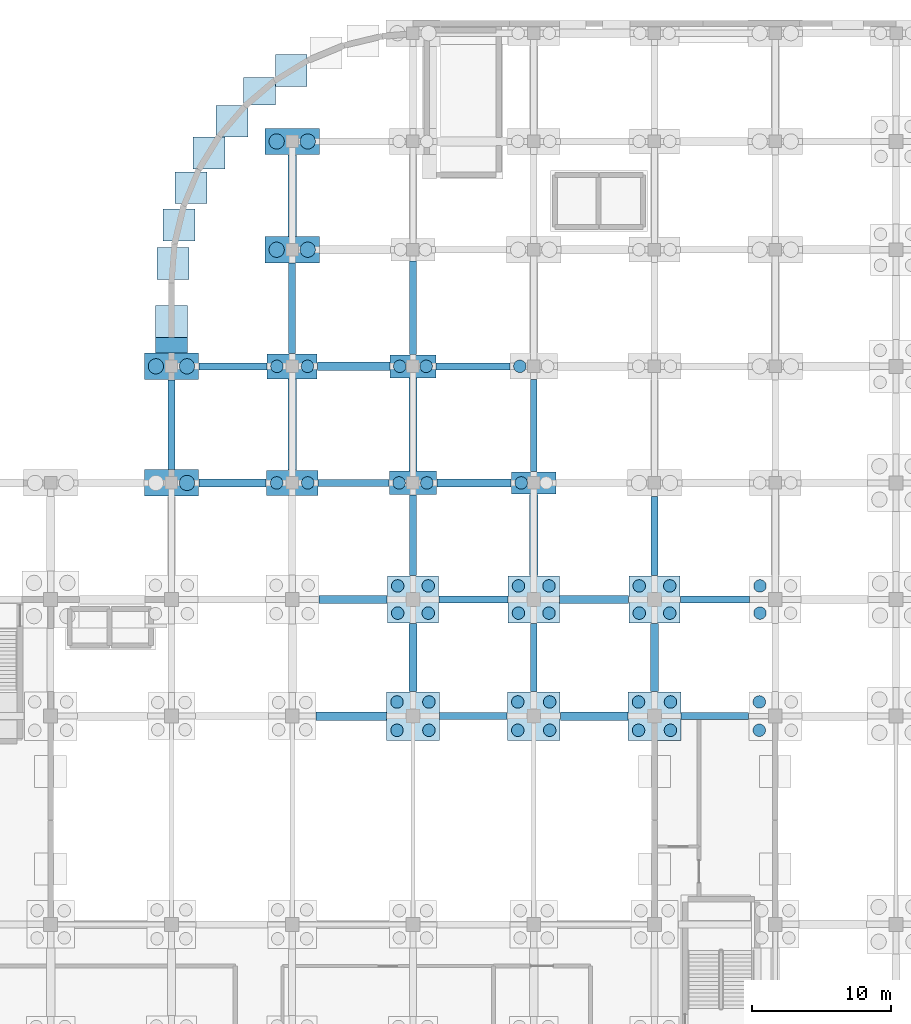
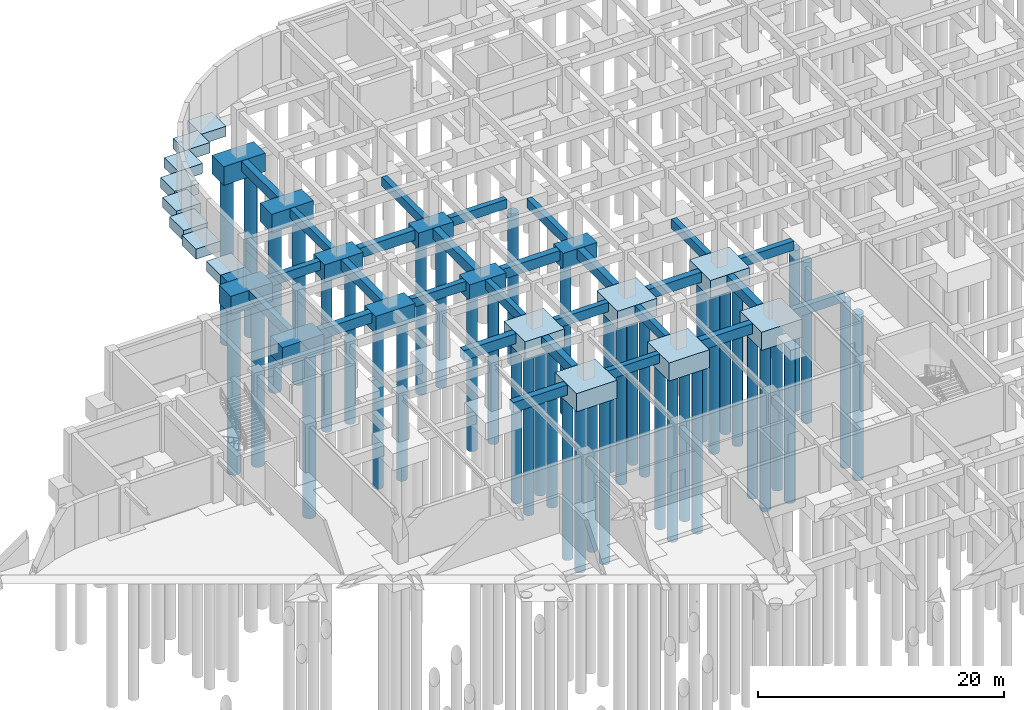
# One storey, part 8 of 33: 51 footings, 45 piles.
"""IFC4 building model written with IfcOpenShell, lengths in metres."""

from ifc_helpers import new_model, si_unit, derived_unit, direction, frame, origin, origin_2d, place, context, subcontext, project, spatial, rectangle, circle, extrude, material, material_profile, profile_set, type_object, element, save


model = new_model("IFC4")

# Units and contexts
model_context = context("Model", 3, precision=1e-05, world=origin(), true_north=direction((0.0, 1.0)))
body_context = subcontext(model_context, "Body", "Model", "MODEL_VIEW")
ifc_project = project(units=[si_unit("LENGTHUNIT", "METRE"), si_unit("AREAUNIT", "SQUARE_METRE"), si_unit("VOLUMEUNIT", "CUBIC_METRE"), si_unit("PLANEANGLEUNIT", "RADIAN"), si_unit("MASSUNIT", "GRAM", prefix="KILO"), derived_unit("THERMALTRANSMITTANCEUNIT", [(si_unit("MASSUNIT", "GRAM", prefix="KILO"), 1), (si_unit("TIMEUNIT", "SECOND"), -3), (si_unit("THERMODYNAMICTEMPERATUREUNIT", "KELVIN"), -1)])], contexts=[model_context])

# Site, building, storey
site_placement = place(None, origin())
site = spatial("IfcSite", under=ifc_project, at=site_placement, CompositionType="ELEMENT")
building_placement = place(site_placement, origin())
building = spatial("IfcBuilding", under=site, at=building_placement, Name="Qinzheling Arcade Emporium", CompositionType="ELEMENT")
storey_placement = place(building_placement, frame((0.0, 0.0, -9.60009765625)))
storey = spatial("IfcBuildingStorey", under=building, at=storey_placement, Name="B2", CompositionType="ELEMENT", Elevation=-9.60009765625)

# Footings
ifc_material = material(Name="Concrete C40", Category="concrete")
footing_type_1 = type_object("IfcFootingType", Name="Arcade Pad Footing 2400x2400x1050 C40", PredefinedType="PAD_FOOTING", material=ifc_material)
footing_1_placement = place(storey_placement, frame((52.199951171875, 92.113037109375, -1.0498046875), z_axis=(0.0, 0.0, 1.0), x_axis=(1.0, 0.0, 0.0)))
element("IfcFooting", 1, at=footing_1_placement, inside=storey, type_object=footing_type_1, Name="Retaining Wall Pad Footing FND-PF-RW-023", PredefinedType="PAD_FOOTING", context=body_context, shape_type="SweptSolid", body=[
    extrude(rectangle(XDim=2.300048828125, YDim=1.114013671875, at=origin_2d()), origin(), (0.0, 0.0, 1.0), 1.050048828125),
])
footing_2_placement = place(storey_placement, frame((52.751953125, 100.7890625, -1.0498046875), z_axis=(0.0, 0.0, 1.0), x_axis=(1.0, 0.0, 0.0)))
element("IfcFooting", 2, at=footing_2_placement, inside=storey, type_object=footing_type_1, Name="Retaining Wall Pad Footing FND-PF-RW-025", PredefinedType="PAD_FOOTING", context=body_context, shape_type="SweptSolid", body=[
    extrude(rectangle(XDim=2.299072265625, YDim=2.300048828125, at=origin_2d()), origin(), (0.0, 0.0, 1.0), 1.050048828125),
])
footing_3_placement = place(storey_placement, frame((54.89990234375, 105.97607421875, -1.0498046875), z_axis=(0.0, 0.0, 1.0), x_axis=(1.0, 0.0, 0.0)))
element("IfcFooting", 3, at=footing_3_placement, inside=storey, type_object=footing_type_1, Name="Retaining Wall Pad Footing FND-PF-RW-027", PredefinedType="PAD_FOOTING", context=body_context, shape_type="SweptSolid", body=[
    extrude(rectangle(XDim=2.300048828125, YDim=2.300048828125, at=origin_2d()), origin(), (0.0, 0.0, 1.0), 1.050048828125),
])
footing_4_placement = place(storey_placement, frame((58.5458984375, 110.403076171875, -1.0498046875), z_axis=(0.0, 0.0, 1.0), x_axis=(1.0, 0.0, 0.0)))
element("IfcFooting", 4, at=footing_4_placement, inside=storey, type_object=footing_type_1, Name="Retaining Wall Pad Footing FND-PF-RW-029", PredefinedType="PAD_FOOTING", context=body_context, shape_type="SweptSolid", body=[
    extrude(rectangle(XDim=2.300048828125, YDim=1.985107421875, at=origin_2d()), origin(), (0.0, 0.0, 1.0), 1.050048828125),
])
footing_type_2 = type_object("IfcFootingType", Name="Foundation Tie Beam 500x900 C40", PredefinedType="FOOTING_BEAM", material=ifc_material)
for number, where, z_axis, x_axis, name in (
    (5, (73.949951171875, 65.39990234375, -0.89990234375), (0.0, 0.0, 1.0), (1.0, 0.0, 0.0), "Foundation Tie FND-FB-111"),
    (6, (91.35009765625, 65.39990234375, -0.89990234375), (0.0, 0.0, 1.0), (1.0, 0.0, 0.0), "Foundation Tie FND-FB-113"),
):
    element("IfcFooting", number, at=place(storey_placement, frame(where, z_axis=z_axis, x_axis=x_axis)), inside=storey, type_object=footing_type_2, Name=name, PredefinedType="FOOTING_BEAM", context=body_context, shape_type="SweptSolid", body=[
        extrude(rectangle(XDim=4.860107421875, YDim=0.5, at=origin_2d()), origin(), (0.0, 0.0, 1.0), 0.89990234375),
    ])
for number, where, z_axis, x_axis, name in (
    (7, (73.949951171875, 73.800048828125, -0.89990234375), (0.0, 0.0, 1.0), (1.0, 0.0, 0.0), "Foundation Tie FND-FB-125"),
    (8, (91.35009765625, 73.800048828125, -0.89990234375), (0.0, 0.0, 1.0), (1.0, 0.0, 0.0), "Foundation Tie FND-FB-127"),
):
    element("IfcFooting", number, at=place(storey_placement, frame(where, z_axis=z_axis, x_axis=x_axis)), inside=storey, type_object=footing_type_2, Name=name, PredefinedType="FOOTING_BEAM", context=body_context, shape_type="SweptSolid", body=[
        extrude(rectangle(XDim=4.9599609375, YDim=0.5, at=origin_2d()), origin(), (0.0, 0.0, 1.0), 0.89990234375),
    ])
footing_5_placement = place(storey_placement, frame((65.324951171875, 82.199951171875, -0.89990234375), z_axis=(0.0, 0.0, 1.0), x_axis=(1.0, 0.0, 0.0)))
element("IfcFooting", 9, at=footing_5_placement, inside=storey, type_object=footing_type_2, Name="Foundation Tie FND-FB-137", PredefinedType="FOOTING_BEAM", context=body_context, shape_type="SweptSolid", body=[
    extrude(rectangle(XDim=5.110107421875, YDim=0.5, at=origin_2d()), origin(), (0.0, 0.0, 1.0), 0.89990234375),
])
footing_6_placement = place(storey_placement, frame((56.625, 90.60009765625, -0.89990234375), z_axis=(0.0, 0.0, 1.0), x_axis=(1.0, 0.0, 0.0)))
element("IfcFooting", 10, at=footing_6_placement, inside=storey, type_object=footing_type_2, Name="Foundation Tie FND-FB-147", PredefinedType="FOOTING_BEAM", context=body_context, shape_type="SweptSolid", body=[
    extrude(rectangle(XDim=4.909912109375, YDim=0.5, at=origin_2d()), origin(), (0.0, 0.0, 1.0), 0.89990234375),
])
footing_7_placement = place(storey_placement, frame((73.925048828125, 90.60009765625, -0.89990234375), z_axis=(0.0, 0.0, 1.0), x_axis=(1.0, 0.0, 0.0)))
element("IfcFooting", 11, at=footing_7_placement, inside=storey, type_object=footing_type_2, Name="Foundation Tie FND-FB-149", PredefinedType="FOOTING_BEAM", context=body_context, shape_type="SweptSolid", body=[
    extrude(rectangle(XDim=5.31005859375, YDim=0.5, at=origin_2d()), origin(), (0.0, 0.0, 1.0), 0.89990234375),
])
footing_8_placement = place(storey_placement, frame((52.199951171875, 86.39990234375, -0.89990234375), z_axis=(0.0, 0.0, 1.0), x_axis=(1.0, 0.0, 0.0)))
element("IfcFooting", 12, at=footing_8_placement, inside=storey, type_object=footing_type_2, Name="Foundation Tie FND-FB-223", PredefinedType="FOOTING_BEAM", context=body_context, shape_type="SweptSolid", body=[
    extrude(rectangle(XDim=0.5, YDim=6.4599609375, at=origin_2d()), origin(), (0.0, 0.0, 1.0), 0.89990234375),
])
footing_9_placement = place(storey_placement, frame((60.89990234375, 94.77490234375, -0.89990234375), z_axis=(0.0, 0.0, 1.0), x_axis=(1.0, 0.0, 0.0)))
element("IfcFooting", 13, at=footing_9_placement, inside=storey, type_object=footing_type_2, Name="Foundation Tie FND-FB-233", PredefinedType="FOOTING_BEAM", context=body_context, shape_type="SweptSolid", body=[
    extrude(rectangle(XDim=0.5, YDim=6.510009765625, at=origin_2d()), origin(), (0.0, 0.0, 1.0), 0.89990234375),
])
footing_10_placement = place(storey_placement, frame((69.60009765625, 78.425048828125, -0.89990234375), z_axis=(0.0, 0.0, 1.0), x_axis=(1.0, 0.0, 0.0)))
element("IfcFooting", 14, at=footing_10_placement, inside=storey, type_object=footing_type_2, Name="Foundation Tie FND-FB-241", PredefinedType="FOOTING_BEAM", context=body_context, shape_type="SweptSolid", body=[
    extrude(rectangle(XDim=0.5, YDim=5.81005859375, at=origin_2d()), origin(), (0.0, 0.0, 1.0), 0.89990234375),
])
footing_11_placement = place(storey_placement, frame((69.60009765625, 94.81201171875, -0.89990234375), z_axis=(0.0, 0.0, 1.0), x_axis=(1.0, 0.0, 0.0)))
element("IfcFooting", 15, at=footing_11_placement, inside=storey, type_object=footing_type_2, Name="Foundation Tie FND-FB-243", PredefinedType="FOOTING_BEAM", context=body_context, shape_type="SweptSolid", body=[
    extrude(rectangle(XDim=0.5, YDim=6.735107421875, at=origin_2d()), origin(), (0.0, 0.0, 1.0), 0.89990234375),
])
footing_12_placement = place(storey_placement, frame((78.300048828125, 69.625, -0.89990234375), z_axis=(0.0, 0.0, 1.0), x_axis=(1.0, 0.0, 0.0)))
element("IfcFooting", 16, at=footing_12_placement, inside=storey, type_object=footing_type_2, Name="Foundation Tie FND-FB-249", PredefinedType="FOOTING_BEAM", context=body_context, shape_type="SweptSolid", body=[
    extrude(rectangle(XDim=0.5, YDim=4.909912109375, at=origin_2d()), origin(), (0.0, 0.0, 1.0), 0.89990234375),
])
footing_13_placement = place(storey_placement, frame((78.300048828125, 86.337890625, -0.89990234375), z_axis=(0.0, 0.0, 1.0), x_axis=(1.0, 0.0, 0.0)))
element("IfcFooting", 17, at=footing_13_placement, inside=storey, type_object=footing_type_2, Name="Foundation Tie FND-FB-251", PredefinedType="FOOTING_BEAM", context=body_context, shape_type="SweptSolid", body=[
    extrude(rectangle(XDim=0.5, YDim=6.635009765625, at=origin_2d()), origin(), (0.0, 0.0, 1.0), 0.89990234375),
])
footing_14_placement = place(storey_placement, frame((87.0, 78.375, -0.89990234375), z_axis=(0.0, 0.0, 1.0), x_axis=(1.0, 0.0, 0.0)))
element("IfcFooting", 18, at=footing_14_placement, inside=storey, type_object=footing_type_2, Name="Foundation Tie FND-FB-259", PredefinedType="FOOTING_BEAM", context=body_context, shape_type="SweptSolid", body=[
    extrude(rectangle(XDim=0.5, YDim=5.7099609375, at=origin_2d()), origin(), (0.0, 0.0, 1.0), 0.89990234375),
])
footing_type_3 = type_object("IfcFootingType", Name="Foundation Tie Beam 600x1000 C40", PredefinedType="FOOTING_BEAM", material=ifc_material)
footing_15_placement = place(storey_placement, frame((65.14990234375, 65.39990234375, -1.0), z_axis=(0.0, 0.0, 1.0), x_axis=(1.0, 0.0, 0.0)))
element("IfcFooting", 19, at=footing_15_placement, inside=storey, type_object=footing_type_3, Name="Foundation Tie FND-FB-110", PredefinedType="FOOTING_BEAM", context=body_context, shape_type="SweptSolid", body=[
    extrude(rectangle(XDim=5.06005859375, YDim=0.60009765625, at=origin_2d()), origin(), (0.0, 0.0, 1.0), 1.0),
])
footing_16_placement = place(storey_placement, frame((82.64990234375, 65.39990234375, -1.0), z_axis=(0.0, 0.0, 1.0), x_axis=(1.0, 0.0, 0.0)))
element("IfcFooting", 20, at=footing_16_placement, inside=storey, type_object=footing_type_3, Name="Foundation Tie FND-FB-112", PredefinedType="FOOTING_BEAM", context=body_context, shape_type="SweptSolid", body=[
    extrude(rectangle(XDim=4.860107421875, YDim=0.60009765625, at=origin_2d()), origin(), (0.0, 0.0, 1.0), 1.0),
])
footing_17_placement = place(storey_placement, frame((65.27490234375, 73.800048828125, -1.0), z_axis=(0.0, 0.0, 1.0), x_axis=(1.0, 0.0, 0.0)))
element("IfcFooting", 21, at=footing_17_placement, inside=storey, type_object=footing_type_3, Name="Foundation Tie FND-FB-124", PredefinedType="FOOTING_BEAM", context=body_context, shape_type="SweptSolid", body=[
    extrude(rectangle(XDim=4.909912109375, YDim=0.60009765625, at=origin_2d()), origin(), (0.0, 0.0, 1.0), 1.0),
])
footing_18_placement = place(storey_placement, frame((82.64990234375, 73.800048828125, -1.0), z_axis=(0.0, 0.0, 1.0), x_axis=(1.0, 0.0, 0.0)))
element("IfcFooting", 22, at=footing_18_placement, inside=storey, type_object=footing_type_3, Name="Foundation Tie FND-FB-126", PredefinedType="FOOTING_BEAM", context=body_context, shape_type="SweptSolid", body=[
    extrude(rectangle(XDim=4.9599609375, YDim=0.60009765625, at=origin_2d()), origin(), (0.0, 0.0, 1.0), 1.0),
])
footing_19_placement = place(storey_placement, frame((56.60009765625, 82.199951171875, -1.0), z_axis=(0.0, 0.0, 1.0), x_axis=(1.0, 0.0, 0.0)))
element("IfcFooting", 23, at=footing_19_placement, inside=storey, type_object=footing_type_3, Name="Foundation Tie FND-FB-136", PredefinedType="FOOTING_BEAM", context=body_context, shape_type="SweptSolid", body=[
    extrude(rectangle(XDim=4.860107421875, YDim=0.60009765625, at=origin_2d()), origin(), (0.0, 0.0, 1.0), 1.0),
])
footing_20_placement = place(storey_placement, frame((74.0, 82.199951171875, -1.0), z_axis=(0.0, 0.0, 1.0), x_axis=(1.0, 0.0, 0.0)))
element("IfcFooting", 24, at=footing_20_placement, inside=storey, type_object=footing_type_3, Name="Foundation Tie FND-FB-138", PredefinedType="FOOTING_BEAM", context=body_context, shape_type="SweptSolid", body=[
    extrude(rectangle(XDim=5.360107421875, YDim=0.60009765625, at=origin_2d()), origin(), (0.0, 0.0, 1.0), 1.0),
])
footing_21_placement = place(storey_placement, frame((65.324951171875, 90.60009765625, -1.0), z_axis=(0.0, 0.0, 1.0), x_axis=(1.0, 0.0, 0.0)))
element("IfcFooting", 25, at=footing_21_placement, inside=storey, type_object=footing_type_3, Name="Foundation Tie FND-FB-148", PredefinedType="FOOTING_BEAM", context=body_context, shape_type="SweptSolid", body=[
    extrude(rectangle(XDim=5.2099609375, YDim=0.60009765625, at=origin_2d()), origin(), (0.0, 0.0, 1.0), 1.0),
])
footing_22_placement = place(storey_placement, frame((60.89990234375, 86.39990234375, -1.0), z_axis=(0.0, 0.0, 1.0), x_axis=(1.0, 0.0, 0.0)))
element("IfcFooting", 26, at=footing_22_placement, inside=storey, type_object=footing_type_3, Name="Foundation Tie FND-FB-232", PredefinedType="FOOTING_BEAM", context=body_context, shape_type="SweptSolid", body=[
    extrude(rectangle(XDim=0.60009765625, YDim=6.56005859375, at=origin_2d()), origin(), (0.0, 0.0, 1.0), 1.0),
])
footing_23_placement = place(storey_placement, frame((60.89990234375, 102.89990234375, -1.0), z_axis=(0.0, 0.0, 1.0), x_axis=(1.0, 0.0, 0.0)))
element("IfcFooting", 27, at=footing_23_placement, inside=storey, type_object=footing_type_3, Name="Foundation Tie FND-FB-234", PredefinedType="FOOTING_BEAM", context=body_context, shape_type="SweptSolid", body=[
    extrude(rectangle(XDim=0.60009765625, YDim=5.860107421875, at=origin_2d()), origin(), (0.0, 0.0, 1.0), 1.0),
])
footing_24_placement = place(storey_placement, frame((69.60009765625, 69.625, -1.0), z_axis=(0.0, 0.0, 1.0), x_axis=(1.0, 0.0, 0.0)))
element("IfcFooting", 28, at=footing_24_placement, inside=storey, type_object=footing_type_3, Name="Foundation Tie FND-FB-240", PredefinedType="FOOTING_BEAM", context=body_context, shape_type="SweptSolid", body=[
    extrude(rectangle(XDim=0.60009765625, YDim=4.909912109375, at=origin_2d()), origin(), (0.0, 0.0, 1.0), 1.0),
])
footing_25_placement = place(storey_placement, frame((69.60009765625, 86.412109375, -1.0), z_axis=(0.0, 0.0, 1.0), x_axis=(1.0, 0.0, 0.0)))
element("IfcFooting", 29, at=footing_25_placement, inside=storey, type_object=footing_type_3, Name="Foundation Tie FND-FB-242", PredefinedType="FOOTING_BEAM", context=body_context, shape_type="SweptSolid", body=[
    extrude(rectangle(XDim=0.60009765625, YDim=6.68505859375, at=origin_2d()), origin(), (0.0, 0.0, 1.0), 1.0),
])
footing_26_placement = place(storey_placement, frame((78.300048828125, 78.449951171875, -1.0), z_axis=(0.0, 0.0, 1.0), x_axis=(1.0, 0.0, 0.0)))
element("IfcFooting", 30, at=footing_26_placement, inside=storey, type_object=footing_type_3, Name="Foundation Tie FND-FB-250", PredefinedType="FOOTING_BEAM", context=body_context, shape_type="SweptSolid", body=[
    extrude(rectangle(XDim=0.60009765625, YDim=5.860107421875, at=origin_2d()), origin(), (0.0, 0.0, 1.0), 1.0),
])
footing_27_placement = place(storey_placement, frame((87.0, 69.625, -1.0), z_axis=(0.0, 0.0, 1.0), x_axis=(1.0, 0.0, 0.0)))
element("IfcFooting", 31, at=footing_27_placement, inside=storey, type_object=footing_type_3, Name="Foundation Tie FND-FB-258", PredefinedType="FOOTING_BEAM", context=body_context, shape_type="SweptSolid", body=[
    extrude(rectangle(XDim=0.60009765625, YDim=4.909912109375, at=origin_2d()), origin(), (0.0, 0.0, 1.0), 1.0),
])
footing_type_4 = type_object("IfcFootingType", Name="Four-Pile Arcade Cap 3700x3400x1750 C40", PredefinedType="PILE_CAP", material=ifc_material)
for number, where, z_axis, x_axis, name in (
    (32, (69.60009765625, 73.800048828125, -1.75), (0.0, 0.0, 1.0), (1.0, 0.0, 0.0), "Pile Cap FND-PC-077"),
    (33, (78.300048828125, 73.800048828125, -1.75), (0.0, 0.0, 1.0), (1.0, 0.0, 0.0), "Pile Cap FND-PC-088"),
    (34, (87.0, 73.800048828125, -1.75), (0.0, 0.0, 1.0), (1.0, 0.0, 0.0), "Pile Cap FND-PC-099"),
):
    element("IfcFooting", number, at=place(storey_placement, frame(where, z_axis=z_axis, x_axis=x_axis)), inside=storey, type_object=footing_type_4, Name=name, PredefinedType="PILE_CAP", context=body_context, shape_type="SweptSolid", body=[
        extrude(rectangle(XDim=3.699951171875, YDim=3.39990234375, at=origin_2d()), origin(), (0.0, 0.0, 1.0), 1.75),
    ])
footing_type_5 = type_object("IfcFootingType", Name="Four-Pile Office Cap 3800x3500x1800 C40", PredefinedType="PILE_CAP", material=ifc_material)
for number, where, z_axis, x_axis, name in (
    (35, (69.60009765625, 65.39990234375, -1.7998046875), (0.0, 0.0, 1.0), (1.0, 0.0, 0.0), "Pile Cap FND-PC-076"),
    (36, (78.300048828125, 65.39990234375, -1.7998046875), (0.0, 0.0, 1.0), (1.0, 0.0, 0.0), "Pile Cap FND-PC-087"),
    (37, (87.0, 65.39990234375, -1.7998046875), (0.0, 0.0, 1.0), (1.0, 0.0, 0.0), "Pile Cap FND-PC-098"),
):
    element("IfcFooting", number, at=place(storey_placement, frame(where, z_axis=z_axis, x_axis=x_axis)), inside=storey, type_object=footing_type_5, Name=name, PredefinedType="PILE_CAP", context=body_context, shape_type="SweptSolid", body=[
        extrude(rectangle(XDim=3.800048828125, YDim=3.5, at=origin_2d()), origin(), (0.0, 0.0, 1.0), 1.800048828125),
    ])
footing_type_6 = type_object("IfcFootingType", Name="Loggia Pad Footing 2200x2200x1000 C40", PredefinedType="PAD_FOOTING", material=ifc_material)
for number, where, z_axis, x_axis, name in (
    (38, (52.199951171875, 93.825927734375, -1.0), (0.0, 0.0, 1.0), (1.0, 0.0, 0.0), "Retaining Wall Pad Footing FND-PF-RW-022"),
    (39, (52.31103515625, 98.008056640625, -1.0), (0.0, 0.0, 1.0), (1.0, 0.0, 0.0), "Retaining Wall Pad Footing FND-PF-RW-024"),
    (40, (53.62109375, 103.467041015625, -1.0), (0.0, 0.0, 1.0), (1.0, 0.0, 0.0), "Retaining Wall Pad Footing FND-PF-RW-026"),
):
    element("IfcFooting", number, at=place(storey_placement, frame(where, z_axis=z_axis, x_axis=x_axis)), inside=storey, type_object=footing_type_6, Name=name, PredefinedType="PAD_FOOTING", context=body_context, shape_type="SweptSolid", body=[
        extrude(rectangle(XDim=2.300048828125, YDim=2.300048828125, at=origin_2d()), origin(), (0.0, 0.0, 1.0), 1.0),
    ])
footing_28_placement = place(storey_placement, frame((56.554931640625, 108.26806640625, -1.0), z_axis=(0.0, 0.0, 1.0), x_axis=(1.0, 0.0, 0.0)))
element("IfcFooting", 41, at=footing_28_placement, inside=storey, type_object=footing_type_6, Name="Retaining Wall Pad Footing FND-PF-RW-028", PredefinedType="PAD_FOOTING", context=body_context, shape_type="SweptSolid", body=[
    extrude(rectangle(XDim=2.300048828125, YDim=2.27197265625, at=origin_2d()), origin(), (0.0, 0.0, 1.0), 1.0),
])
footing_29_placement = place(storey_placement, frame((60.837890625, 111.89990234375, -1.0), z_axis=(0.0, 0.0, 1.0), x_axis=(1.0, 0.0, 0.0)))
element("IfcFooting", 42, at=footing_29_placement, inside=storey, type_object=footing_type_6, Name="Retaining Wall Pad Footing FND-PF-RW-030", PredefinedType="PAD_FOOTING", context=body_context, shape_type="SweptSolid", body=[
    extrude(rectangle(XDim=2.27197265625, YDim=2.300048828125, at=origin_2d()), origin(), (0.0, 0.0, 1.0), 1.0),
])

# Piles
ifc_material_profile_1 = material_profile(ifc_material, circle(Radius=0.550048828125, at=origin_2d()), Name="BORED D1100", Category="concrete")
ifc_profile_set_1 = profile_set([ifc_material_profile_1], Name="Concrete C40")
pile_type_1 = type_object("IfcPileType", Name="Rotary Bored Pile D1100 C40", PredefinedType="BORED", material=ifc_profile_set_1)
for number, where, z_axis, x_axis, name in (
    (43, (53.320068359375, 82.199951171875, -1.75), (0.0, 0.0, -1.0), (1.0, 0.0, 0.0), "Bored Pile FND-PL-0186"),
    (44, (51.080078125, 90.60009765625, -1.75), (0.0, 0.0, -1.0), (1.0, 0.0, 0.0), "Bored Pile FND-PL-0187"),
    (45, (53.320068359375, 90.60009765625, -1.75), (0.0, 0.0, -1.0), (1.0, 0.0, 0.0), "Bored Pile FND-PL-0188"),
    (46, (59.780029296875, 99.0, -1.75), (0.0, 0.0, -1.0), (1.0, 0.0, 0.0), "Bored Pile FND-PL-0227"),
    (47, (62.02001953125, 99.0, -1.75), (0.0, 0.0, -1.0), (1.0, 0.0, 0.0), "Bored Pile FND-PL-0228"),
    (48, (59.780029296875, 106.800048828125, -1.75), (0.0, 0.0, -1.0), (1.0, 0.0, 0.0), "Bored Pile FND-PL-0229"),
    (49, (62.02001953125, 106.800048828125, -1.75), (0.0, 0.0, -1.0), (1.0, 0.0, 0.0), "Bored Pile FND-PL-0230"),
):
    element("IfcPile", number, at=place(storey_placement, frame(where, z_axis=z_axis, x_axis=x_axis)), inside=storey, type_object=pile_type_1, Name=name, PredefinedType="BORED", context=body_context, shape_type="SweptSolid", body=[
        extrude(circle(Radius=0.550048828125, at=origin_2d()), origin(), (0.0, 0.0, 1.0), 16.5),
    ])
ifc_material_profile_2 = material_profile(ifc_material, circle(Radius=0.449951171875, at=origin_2d()), Name="BORED D900", Category="concrete")
ifc_profile_set_2 = profile_set([ifc_material_profile_2], Name="Concrete C40")
pile_type_2 = type_object("IfcPileType", Name="Rotary Bored Pile D900 C40", PredefinedType="BORED", material=ifc_profile_set_2)
for number, where, z_axis, x_axis, name in (
    (50, (59.780029296875, 82.199951171875, -1.64990234375), (0.0, 0.0, -1.0), (1.0, 0.0, 0.0), "Bored Pile FND-PL-0223"),
    (51, (62.02001953125, 82.199951171875, -1.64990234375), (0.0, 0.0, -1.0), (1.0, 0.0, 0.0), "Bored Pile FND-PL-0224"),
):
    element("IfcPile", number, at=place(storey_placement, frame(where, z_axis=z_axis, x_axis=x_axis)), inside=storey, type_object=pile_type_2, Name=name, PredefinedType="BORED", context=body_context, shape_type="SweptSolid", body=[
        extrude(circle(Radius=0.449951171875, at=origin_2d()), origin(), (0.0, 0.0, 1.0), 16.0),
    ])
for number, where, z_axis, x_axis, name in (
    (52, (59.800048828125, 90.60009765625, -1.599853515625), (0.0, 0.0, -1.0), (1.0, 0.0, 0.0), "Bored Pile FND-PL-0225"),
    (53, (62.0, 90.60009765625, -1.599853515625), (0.0, 0.0, -1.0), (1.0, 0.0, 0.0), "Bored Pile FND-PL-0226"),
):
    element("IfcPile", number, at=place(storey_placement, frame(where, z_axis=z_axis, x_axis=x_axis)), inside=storey, type_object=pile_type_2, Name=name, PredefinedType="BORED", context=body_context, shape_type="SweptSolid", body=[
        extrude(circle(Radius=0.449951171875, at=origin_2d()), origin(), (0.0, 0.0, 1.0), 15.5),
    ])
for number, where, z_axis, x_axis, name in (
    (54, (68.449951171875, 64.3798828125, -1.699951171875), (0.0, 0.0, -1.0), (1.0, 0.0, 0.0), "Bored Pile FND-PL-0253"),
    (55, (70.75, 64.3798828125, -1.699951171875), (0.0, 0.0, -1.0), (1.0, 0.0, 0.0), "Bored Pile FND-PL-0254"),
    (56, (68.449951171875, 66.419921875, -1.699951171875), (0.0, 0.0, -1.0), (1.0, 0.0, 0.0), "Bored Pile FND-PL-0255"),
    (57, (70.75, 66.419921875, -1.699951171875), (0.0, 0.0, -1.0), (1.0, 0.0, 0.0), "Bored Pile FND-PL-0256"),
):
    element("IfcPile", number, at=place(storey_placement, frame(where, z_axis=z_axis, x_axis=x_axis)), inside=storey, type_object=pile_type_2, Name=name, PredefinedType="BORED", context=body_context, shape_type="SweptSolid", body=[
        extrude(circle(Radius=0.449951171875, at=origin_2d()), origin(), (0.0, 0.0, 1.0), 16.5),
    ])
for number, where, z_axis, x_axis, name in (
    (58, (68.5, 72.820068359375, -1.64990234375), (0.0, 0.0, -1.0), (1.0, 0.0, 0.0), "Bored Pile FND-PL-0257"),
    (59, (70.699951171875, 72.820068359375, -1.64990234375), (0.0, 0.0, -1.0), (1.0, 0.0, 0.0), "Bored Pile FND-PL-0258"),
    (60, (68.5, 74.780029296875, -1.64990234375), (0.0, 0.0, -1.0), (1.0, 0.0, 0.0), "Bored Pile FND-PL-0259"),
    (61, (70.699951171875, 74.780029296875, -1.64990234375), (0.0, 0.0, -1.0), (1.0, 0.0, 0.0), "Bored Pile FND-PL-0260"),
):
    element("IfcPile", number, at=place(storey_placement, frame(where, z_axis=z_axis, x_axis=x_axis)), inside=storey, type_object=pile_type_2, Name=name, PredefinedType="BORED", context=body_context, shape_type="SweptSolid", body=[
        extrude(circle(Radius=0.449951171875, at=origin_2d()), origin(), (0.0, 0.0, 1.0), 16.0),
    ])
for number, where, z_axis, x_axis, name in (
    (62, (68.60009765625, 82.199951171875, -1.5), (0.0, 0.0, -1.0), (1.0, 0.0, 0.0), "Bored Pile FND-PL-0261"),
    (63, (70.60009765625, 82.199951171875, -1.5), (0.0, 0.0, -1.0), (1.0, 0.0, 0.0), "Bored Pile FND-PL-0262"),
):
    element("IfcPile", number, at=place(storey_placement, frame(where, z_axis=z_axis, x_axis=x_axis)), inside=storey, type_object=pile_type_2, Name=name, PredefinedType="BORED", context=body_context, shape_type="SweptSolid", body=[
        extrude(circle(Radius=0.449951171875, at=origin_2d()), origin(), (0.0, 0.0, 1.0), 15.5),
    ])
for number, where, z_axis, x_axis, name in (
    (64, (68.64990234375, 90.60009765625, -1.5), (0.0, 0.0, -1.0), (1.0, 0.0, 0.0), "Bored Pile FND-PL-0263"),
    (65, (70.550048828125, 90.60009765625, -1.5), (0.0, 0.0, -1.0), (1.0, 0.0, 0.0), "Bored Pile FND-PL-0264"),
):
    element("IfcPile", number, at=place(storey_placement, frame(where, z_axis=z_axis, x_axis=x_axis)), inside=storey, type_object=pile_type_2, Name=name, PredefinedType="BORED", context=body_context, shape_type="SweptSolid", body=[
        extrude(circle(Radius=0.449951171875, at=origin_2d()), origin(), (0.0, 0.0, 1.0), 15.0),
    ])
for number, where, z_axis, x_axis, name in (
    (66, (77.14990234375, 64.3798828125, -1.699951171875), (0.0, 0.0, -1.0), (1.0, 0.0, 0.0), "Bored Pile FND-PL-0283"),
    (67, (79.449951171875, 64.3798828125, -1.699951171875), (0.0, 0.0, -1.0), (1.0, 0.0, 0.0), "Bored Pile FND-PL-0284"),
    (68, (77.14990234375, 66.419921875, -1.699951171875), (0.0, 0.0, -1.0), (1.0, 0.0, 0.0), "Bored Pile FND-PL-0285"),
    (69, (79.449951171875, 66.419921875, -1.699951171875), (0.0, 0.0, -1.0), (1.0, 0.0, 0.0), "Bored Pile FND-PL-0286"),
):
    element("IfcPile", number, at=place(storey_placement, frame(where, z_axis=z_axis, x_axis=x_axis)), inside=storey, type_object=pile_type_2, Name=name, PredefinedType="BORED", context=body_context, shape_type="SweptSolid", body=[
        extrude(circle(Radius=0.449951171875, at=origin_2d()), origin(), (0.0, 0.0, 1.0), 16.5),
    ])
for number, where, z_axis, x_axis, name in (
    (70, (77.199951171875, 72.820068359375, -1.64990234375), (0.0, 0.0, -1.0), (1.0, 0.0, 0.0), "Bored Pile FND-PL-0287"),
    (71, (79.39990234375, 72.820068359375, -1.64990234375), (0.0, 0.0, -1.0), (1.0, 0.0, 0.0), "Bored Pile FND-PL-0288"),
    (72, (77.199951171875, 74.780029296875, -1.64990234375), (0.0, 0.0, -1.0), (1.0, 0.0, 0.0), "Bored Pile FND-PL-0289"),
    (73, (79.39990234375, 74.780029296875, -1.64990234375), (0.0, 0.0, -1.0), (1.0, 0.0, 0.0), "Bored Pile FND-PL-0290"),
):
    element("IfcPile", number, at=place(storey_placement, frame(where, z_axis=z_axis, x_axis=x_axis)), inside=storey, type_object=pile_type_2, Name=name, PredefinedType="BORED", context=body_context, shape_type="SweptSolid", body=[
        extrude(circle(Radius=0.449951171875, at=origin_2d()), origin(), (0.0, 0.0, 1.0), 16.0),
    ])
for number, where, z_axis, x_axis, name in (
    (74, (77.39990234375, 82.199951171875, -1.449951171875), (0.0, 0.0, -1.0), (1.0, 0.0, 0.0), "Bored Pile FND-PL-0291"),
    (75, (77.300048828125, 90.60009765625, -1.5498046875), (0.0, 0.0, -1.0), (1.0, 0.0, 0.0), "Bored Pile FND-PL-0293"),
):
    element("IfcPile", number, at=place(storey_placement, frame(where, z_axis=z_axis, x_axis=x_axis)), inside=storey, type_object=pile_type_2, Name=name, PredefinedType="BORED", context=body_context, shape_type="SweptSolid", body=[
        extrude(circle(Radius=0.449951171875, at=origin_2d()), origin(), (0.0, 0.0, 1.0), 15.0),
    ])
for number, where, z_axis, x_axis, name in (
    (76, (85.85009765625, 64.3798828125, -1.699951171875), (0.0, 0.0, -1.0), (1.0, 0.0, 0.0), "Bored Pile FND-PL-0313"),
    (77, (88.14990234375, 64.3798828125, -1.699951171875), (0.0, 0.0, -1.0), (1.0, 0.0, 0.0), "Bored Pile FND-PL-0314"),
    (78, (85.85009765625, 66.419921875, -1.699951171875), (0.0, 0.0, -1.0), (1.0, 0.0, 0.0), "Bored Pile FND-PL-0315"),
    (79, (88.14990234375, 66.419921875, -1.699951171875), (0.0, 0.0, -1.0), (1.0, 0.0, 0.0), "Bored Pile FND-PL-0316"),
):
    element("IfcPile", number, at=place(storey_placement, frame(where, z_axis=z_axis, x_axis=x_axis)), inside=storey, type_object=pile_type_2, Name=name, PredefinedType="BORED", context=body_context, shape_type="SweptSolid", body=[
        extrude(circle(Radius=0.449951171875, at=origin_2d()), origin(), (0.0, 0.0, 1.0), 16.5),
    ])
for number, where, z_axis, x_axis, name in (
    (80, (85.89990234375, 72.820068359375, -1.64990234375), (0.0, 0.0, -1.0), (1.0, 0.0, 0.0), "Bored Pile FND-PL-0317"),
    (81, (88.10009765625, 72.820068359375, -1.64990234375), (0.0, 0.0, -1.0), (1.0, 0.0, 0.0), "Bored Pile FND-PL-0318"),
    (82, (85.89990234375, 74.780029296875, -1.64990234375), (0.0, 0.0, -1.0), (1.0, 0.0, 0.0), "Bored Pile FND-PL-0319"),
    (83, (88.10009765625, 74.780029296875, -1.64990234375), (0.0, 0.0, -1.0), (1.0, 0.0, 0.0), "Bored Pile FND-PL-0320"),
):
    element("IfcPile", number, at=place(storey_placement, frame(where, z_axis=z_axis, x_axis=x_axis)), inside=storey, type_object=pile_type_2, Name=name, PredefinedType="BORED", context=body_context, shape_type="SweptSolid", body=[
        extrude(circle(Radius=0.449951171875, at=origin_2d()), origin(), (0.0, 0.0, 1.0), 16.0),
    ])
for number, where, z_axis, x_axis, name in (
    (84, (94.550048828125, 64.3798828125, -1.699951171875), (0.0, 0.0, -1.0), (1.0, 0.0, 0.0), "Bored Pile FND-PL-0343"),
    (85, (94.550048828125, 66.419921875, -1.699951171875), (0.0, 0.0, -1.0), (1.0, 0.0, 0.0), "Bored Pile FND-PL-0345"),
):
    element("IfcPile", number, at=place(storey_placement, frame(where, z_axis=z_axis, x_axis=x_axis)), inside=storey, type_object=pile_type_2, Name=name, PredefinedType="BORED", context=body_context, shape_type="SweptSolid", body=[
        extrude(circle(Radius=0.449951171875, at=origin_2d()), origin(), (0.0, 0.0, 1.0), 16.5),
    ])
for number, where, z_axis, x_axis, name in (
    (86, (94.60009765625, 72.820068359375, -1.64990234375), (0.0, 0.0, -1.0), (1.0, 0.0, 0.0), "Bored Pile FND-PL-0347"),
    (87, (94.60009765625, 74.780029296875, -1.64990234375), (0.0, 0.0, -1.0), (1.0, 0.0, 0.0), "Bored Pile FND-PL-0349"),
):
    element("IfcPile", number, at=place(storey_placement, frame(where, z_axis=z_axis, x_axis=x_axis)), inside=storey, type_object=pile_type_2, Name=name, PredefinedType="BORED", context=body_context, shape_type="SweptSolid", body=[
        extrude(circle(Radius=0.449951171875, at=origin_2d()), origin(), (0.0, 0.0, 1.0), 16.0),
    ])

# Footings
footing_type_7 = type_object("IfcFootingType", Name="Two-Pile Court Cap 3300x1650x1600 C40", PredefinedType="PILE_CAP", material=ifc_material)
footing_30_placement = place(storey_placement, frame((69.60009765625, 90.60009765625, -1.599853515625), z_axis=(0.0, 0.0, 1.0), x_axis=(1.0, 0.0, 0.0)))
element("IfcFooting", 88, at=footing_30_placement, inside=storey, type_object=footing_type_7, Name="Pile Cap FND-PC-079", PredefinedType="PILE_CAP", context=body_context, shape_type="SweptSolid", body=[
    extrude(rectangle(XDim=3.300048828125, YDim=1.64990234375, at=origin_2d()), origin(), (0.0, 0.0, 1.0), 1.60009765625),
])
footing_type_8 = type_object("IfcFootingType", Name="Two-Pile Edge Cap 3400x1700x1600 C40", PredefinedType="PILE_CAP", material=ifc_material)
footing_31_placement = place(storey_placement, frame((69.60009765625, 82.199951171875, -1.599853515625), z_axis=(0.0, 0.0, 1.0), x_axis=(1.0, 0.0, 0.0)))
element("IfcFooting", 89, at=footing_31_placement, inside=storey, type_object=footing_type_8, Name="Pile Cap FND-PC-078", PredefinedType="PILE_CAP", context=body_context, shape_type="SweptSolid", body=[
    extrude(rectangle(XDim=3.39990234375, YDim=1.699951171875, at=origin_2d()), origin(), (0.0, 0.0, 1.0), 1.60009765625),
])
footing_type_9 = type_object("IfcFootingType", Name="Two-Pile Heavy Cap 3900x1900x1850 C40", PredefinedType="PILE_CAP", material=ifc_material)
for number, where, z_axis, x_axis, name in (
    (90, (52.199951171875, 82.199951171875, -1.849853515625), (0.0, 0.0, 1.0), (1.0, 0.0, 0.0), "Pile Cap FND-PC-055"),
    (91, (52.199951171875, 90.60009765625, -1.849853515625), (0.0, 0.0, 1.0), (1.0, 0.0, 0.0), "Pile Cap FND-PC-056"),
    (92, (60.89990234375, 99.0, -1.849853515625), (0.0, 0.0, 1.0), (1.0, 0.0, 0.0), "Pile Cap FND-PC-068"),
    (93, (60.89990234375, 106.800048828125, -1.849853515625), (0.0, 0.0, 1.0), (1.0, 0.0, 0.0), "Pile Cap FND-PC-069"),
):
    element("IfcFooting", number, at=place(storey_placement, frame(where, z_axis=z_axis, x_axis=x_axis)), inside=storey, type_object=footing_type_9, Name=name, PredefinedType="PILE_CAP", context=body_context, shape_type="SweptSolid", body=[
        extrude(rectangle(XDim=3.89990234375, YDim=1.89990234375, at=origin_2d()), origin(), (0.0, 0.0, 1.0), 1.85009765625),
    ])
footing_type_10 = type_object("IfcFootingType", Name="Two-Pile Pier Cap 3200x1600x1550 C40", PredefinedType="PILE_CAP", material=ifc_material)
footing_32_placement = place(storey_placement, frame((78.300048828125, 82.199951171875, -1.5498046875), z_axis=(0.0, 0.0, 1.0), x_axis=(1.0, 0.0, 0.0)))
element("IfcFooting", 94, at=footing_32_placement, inside=storey, type_object=footing_type_10, Name="Pile Cap FND-PC-089", PredefinedType="PILE_CAP", context=body_context, shape_type="SweptSolid", body=[
    extrude(rectangle(XDim=3.199951171875, YDim=1.60009765625, at=origin_2d()), origin(), (0.0, 0.0, 1.0), 1.550048828125),
])
footing_type_11 = type_object("IfcFootingType", Name="Two-Pile Rectangular Cap 3600x1800x1700 C40", PredefinedType="PILE_CAP", material=ifc_material)
footing_33_placement = place(storey_placement, frame((60.89990234375, 90.60009765625, -1.69970703125), z_axis=(0.0, 0.0, 1.0), x_axis=(1.0, 0.0, 0.0)))
element("IfcFooting", 95, at=footing_33_placement, inside=storey, type_object=footing_type_11, Name="Pile Cap FND-PC-067", PredefinedType="PILE_CAP", context=body_context, shape_type="SweptSolid", body=[
    extrude(rectangle(XDim=3.60009765625, YDim=1.800048828125, at=origin_2d()), origin(), (0.0, 0.0, 1.0), 1.699951171875),
])
footing_type_12 = type_object("IfcFootingType", Name="Two-Pile Stockroom Cap 3700x1800x1750 C40", PredefinedType="PILE_CAP", material=ifc_material)
footing_34_placement = place(storey_placement, frame((60.89990234375, 82.199951171875, -1.75), z_axis=(0.0, 0.0, 1.0), x_axis=(1.0, 0.0, 0.0)))
element("IfcFooting", 96, at=footing_34_placement, inside=storey, type_object=footing_type_12, Name="Pile Cap FND-PC-066", PredefinedType="PILE_CAP", context=body_context, shape_type="SweptSolid", body=[
    extrude(rectangle(XDim=3.699951171875, YDim=1.800048828125, at=origin_2d()), origin(), (0.0, 0.0, 1.0), 1.75),
])

save(model, "model.ifc")
